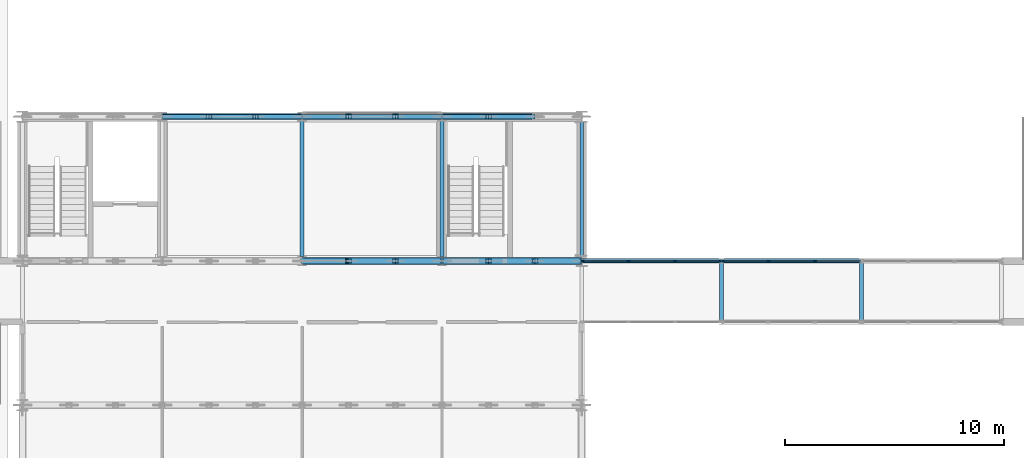
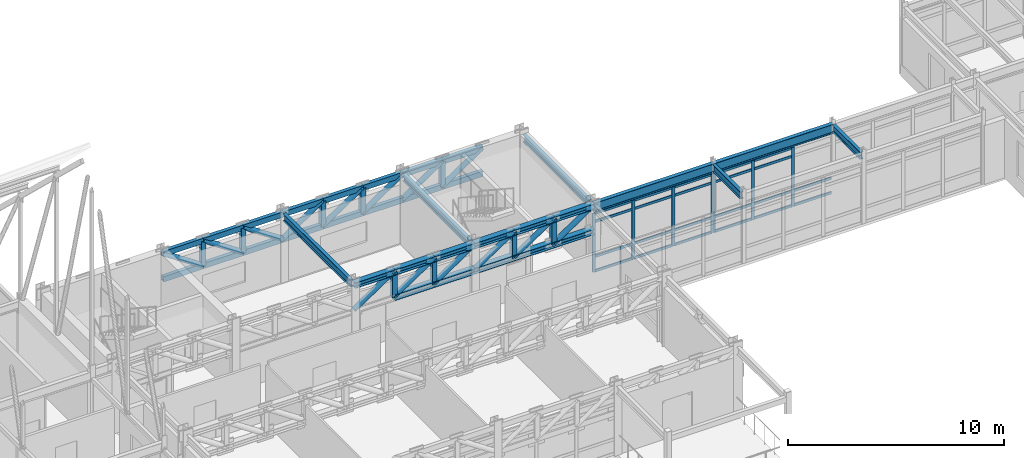
# One storey, part 66 of 144: 79 members, 7 beams, 2 elements without a shape of their own.
"""IFC4 building model written with IfcOpenShell, lengths in metres."""

from ifc_helpers import new_model, si_unit, direction, frame, origin, origin_2d, place, context, subcontext, project, spatial, rectangle, hollow_rectangle, hollow_circle, i_section, extrude, material, layer, layer_set, material_profile, profile_set, type_object, element, aggregate, save


model = new_model("IFC4")

# Units and contexts
model_context = context("Model", 3, precision=1e-05, world=origin(), true_north=direction((0.0, 1.0)))
body_context = subcontext(model_context, "Body", "Model", "MODEL_VIEW")
ifc_project = project(units=[si_unit("LENGTHUNIT", "METRE"), si_unit("AREAUNIT", "SQUARE_METRE"), si_unit("VOLUMEUNIT", "CUBIC_METRE"), si_unit("PLANEANGLEUNIT", "RADIAN"), si_unit("MASSUNIT", "GRAM", prefix="KILO")], contexts=[model_context])

# Site, building, storey
site_placement = place(None, origin())
site = spatial("IfcSite", under=ifc_project, at=site_placement, CompositionType="ELEMENT")
building_placement = place(site_placement, origin())
building = spatial("IfcBuilding", under=site, at=building_placement, Name="Trelmorton Wharf Fire Station", CompositionType="ELEMENT")
storey_placement = place(building_placement, frame((0.0, 0.0, 5.39990234375)))
storey = spatial("IfcBuildingStorey", under=building, at=storey_placement, Name="L01", CompositionType="ELEMENT", Elevation=5.39990234375)

# Beams
ifc_material_1 = material(Name="Steel Grade 350", Category="steel")
ifc_material_profile_1 = material_profile(ifc_material_1, i_section(OverallWidth=0.177978515625, OverallDepth=0.406005859375, WebThickness=0.0078125, FlangeThickness=0.0126953125, FilletRadius=0.011474609375, at=origin_2d()), Name="410UB59.7")
ifc_profile_set_1 = profile_set([ifc_material_profile_1], Name="Steel Grade 350")
beam_type_1 = type_object("IfcBeamType", Name="BM_410UB60", PredefinedType="BEAM", material=ifc_profile_set_1)
for number, where, z_axis, x_axis, name in (
    (1, (70.800048828125, 21.196044921875, 3.72705078125), (0.0, 1.0, 0.0), (-1.0, 0.0, 0.0), "BM-L01-0590"),
    (2, (77.199951171875, 21.196044921875, 3.72705078125), (0.0, 1.0, 0.0), (-1.0, 0.0, 0.0), "BM-L01-0596"),
):
    element("IfcBeam", number, at=place(storey_placement, frame(where, z_axis=z_axis, x_axis=x_axis)), inside=storey, type_object=beam_type_1, Name=name, PredefinedType="BEAM", context=body_context, shape_type="SweptSolid", body=[
        extrude(i_section(OverallWidth=0.177978515625, OverallDepth=0.406005859375, WebThickness=0.0078125, FlangeThickness=0.0126953125, FilletRadius=0.011474609375, at=origin_2d()), origin(), (0.0, 0.0, 1.0), 6.2080078125),
    ])
beam_1_placement = place(storey_placement, frame((83.60009765625, 21.24609375, 3.72705078125), z_axis=(0.0, 1.0, 0.0), x_axis=(-1.0, 0.0, 0.0)))
element("IfcBeam", 3, at=beam_1_placement, inside=storey, type_object=beam_type_1, Name="BM-L01-0604", PredefinedType="BEAM", context=body_context, shape_type="SweptSolid", body=[
    extrude(i_section(OverallWidth=0.177978515625, OverallDepth=0.406005859375, WebThickness=0.0078125, FlangeThickness=0.0126953125, FilletRadius=0.011474609375, at=origin_2d()), origin(), (0.0, 0.0, 1.0), 6.10791015625),
])
for number, where, z_axis, x_axis, name in (
    (4, (90.0, 18.301025390625, 3.72705078125), (0.0, 1.0, 0.0), (-1.0, 0.0, 0.0), "BM-L01-0609"),
    (5, (96.39990234375, 18.301025390625, 3.72705078125), (0.0, 1.0, 0.0), (-1.0, 0.0, 0.0), "BM-L01-0614"),
):
    element("IfcBeam", number, at=place(storey_placement, frame(where, z_axis=z_axis, x_axis=x_axis)), inside=storey, type_object=beam_type_1, Name=name, PredefinedType="BEAM", context=body_context, shape_type="SweptSolid", body=[
        extrude(i_section(OverallWidth=0.177978515625, OverallDepth=0.406005859375, WebThickness=0.0078125, FlangeThickness=0.0126953125, FilletRadius=0.011474609375, at=origin_2d()), origin(), (0.0, 0.0, 1.0), 2.597900390625),
    ])
ifc_material_profile_2 = material_profile(ifc_material_1, i_section(OverallWidth=0.208984375, OverallDepth=0.528076171875, WebThickness=0.009521484375, FlangeThickness=0.01318359375, FilletRadius=0.013916015625, at=origin_2d()), Name="530UB82.0")
ifc_profile_set_2 = profile_set([ifc_material_profile_2], Name="Steel Grade 350")
beam_type_2 = type_object("IfcBeamType", Name="BM_530UB82", PredefinedType="BEAM", material=ifc_profile_set_2)
beam_2_placement = place(storey_placement, frame((83.60791015625, 21.0, 3.666015625), z_axis=(1.0, 0.0, 0.0), x_axis=(0.0, 1.0, 0.0)))
element("IfcBeam", 6, at=beam_2_placement, inside=storey, type_object=beam_type_2, Name="BM-L01-0439", PredefinedType="BEAM", context=body_context, shape_type="SweptSolid", body=[
    extrude(i_section(OverallWidth=0.208984375, OverallDepth=0.528076171875, WebThickness=0.009521484375, FlangeThickness=0.01318359375, FilletRadius=0.013916015625, at=origin_2d()), origin(), (0.0, 0.0, 1.0), 6.38818359375),
])
beam_3_placement = place(storey_placement, frame((90.00390625, 21.0, 3.666015625), z_axis=(1.0, 0.0, 0.0), x_axis=(0.0, 1.0, 0.0)))
element("IfcBeam", 7, at=beam_3_placement, inside=storey, type_object=beam_type_2, Name="BM-L01-0440", PredefinedType="BEAM", context=body_context, shape_type="SweptSolid", body=[
    extrude(i_section(OverallWidth=0.208984375, OverallDepth=0.528076171875, WebThickness=0.009521484375, FlangeThickness=0.01318359375, FilletRadius=0.013916015625, at=origin_2d()), origin(), (0.0, 0.0, 1.0), 6.39208984375),
])

# Curtain wall, members
ifc_material_2 = material(Name="Anodised aluminium AW-6063", Category="aluminium")
ifc_layer = layer(ifc_material_2, 0.139892578125)
ifc_layer_set = layer_set([ifc_layer], Name="Anodised aluminium AW-6063")
curtain_wall_type = type_object("IfcCurtainWallType", Name="CW_BRDG_A", PredefinedType="USERDEFINED", material=ifc_layer_set)
curtain_wall_1_placement = place(storey_placement, origin())
curtain_wall_1 = element("IfcCurtainWall", 8, at=curtain_wall_1_placement, inside=storey, type_object=curtain_wall_type, Name="CW-BR-L01-155", ObjectType="UNITISED CURTAIN WALL", PredefinedType="USERDEFINED")
ifc_material_profile_3 = material_profile(ifc_material_2, rectangle(XDim=0.06494140625, YDim=0.159912109375, at=origin_2d()), Name="ALU-65x160")
ifc_profile_set_3 = profile_set([ifc_material_profile_3], Name="Anodised aluminium AW-6063")
member_type_1 = type_object("IfcMemberType", Name="CWM_65x160", PredefinedType="MULLION", material=ifc_profile_set_3)
member_1_placement = place(storey_placement, frame((83.635009765625, 21.0, 0.0), z_axis=(0.0, 0.0, 1.0), x_axis=(0.0, 1.0, 0.0)))
member_1 = element("IfcMember", 9, at=member_1_placement, type_object=member_type_1, Name="CW4 mullion 1", PredefinedType="MULLION", context=body_context, shape_type="SweptSolid", body=[
    extrude(rectangle(XDim=0.06494140625, YDim=0.159912109375, at=origin_2d()), origin(), (0.0, 0.0, 1.0), 3.320068359375),
])
member_2_placement = place(storey_placement, frame((85.735107421875, 21.0, 0.0), z_axis=(0.0, 0.0, 1.0), x_axis=(0.0, 1.0, 0.0)))
member_2 = element("IfcMember", 10, at=member_2_placement, type_object=member_type_1, Name="CW4 mullion 2", PredefinedType="MULLION", context=body_context, shape_type="SweptSolid", body=[
    extrude(rectangle(XDim=0.06494140625, YDim=0.159912109375, at=origin_2d()), origin(), (0.0, 0.0, 1.0), 3.320068359375),
])
member_3_placement = place(storey_placement, frame((87.864990234375, 21.0, 0.0), z_axis=(0.0, 0.0, 1.0), x_axis=(0.0, 1.0, 0.0)))
member_3 = element("IfcMember", 11, at=member_3_placement, type_object=member_type_1, Name="CW4 mullion 3", PredefinedType="MULLION", context=body_context, shape_type="SweptSolid", body=[
    extrude(rectangle(XDim=0.06494140625, YDim=0.159912109375, at=origin_2d()), origin(), (0.0, 0.0, 1.0), 3.320068359375),
])
member_4_placement = place(storey_placement, frame((89.965087890625, 21.0, 0.0), z_axis=(0.0, 0.0, 1.0), x_axis=(0.0, 1.0, 0.0)))
member_4 = element("IfcMember", 12, at=member_4_placement, type_object=member_type_1, Name="CW4 mullion 4", PredefinedType="MULLION", context=body_context, shape_type="SweptSolid", body=[
    extrude(rectangle(XDim=0.06494140625, YDim=0.159912109375, at=origin_2d()), origin(), (0.0, 0.0, 1.0), 3.320068359375),
])

curtain_wall_2_placement = place(storey_placement, origin())
curtain_wall_2 = element("IfcCurtainWall", 13, at=curtain_wall_2_placement, inside=storey, type_object=curtain_wall_type, Name="CW-BR-L01-157", ObjectType="UNITISED CURTAIN WALL", PredefinedType="USERDEFINED")
member_5_placement = place(storey_placement, frame((90.034912109375, 21.0, 0.0), z_axis=(0.0, 0.0, 1.0), x_axis=(0.0, 1.0, 0.0)))
member_5 = element("IfcMember", 14, at=member_5_placement, type_object=member_type_1, Name="CW4 mullion 1", PredefinedType="MULLION", context=body_context, shape_type="SweptSolid", body=[
    extrude(rectangle(XDim=0.06494140625, YDim=0.159912109375, at=origin_2d()), origin(), (0.0, 0.0, 1.0), 3.320068359375),
])
member_6_placement = place(storey_placement, frame((92.135009765625, 21.0, 0.0), z_axis=(0.0, 0.0, 1.0), x_axis=(0.0, 1.0, 0.0)))
member_6 = element("IfcMember", 15, at=member_6_placement, type_object=member_type_1, Name="CW4 mullion 2", PredefinedType="MULLION", context=body_context, shape_type="SweptSolid", body=[
    extrude(rectangle(XDim=0.06494140625, YDim=0.159912109375, at=origin_2d()), origin(), (0.0, 0.0, 1.0), 3.320068359375),
])
member_7_placement = place(storey_placement, frame((94.264892578125, 21.0, 0.0), z_axis=(0.0, 0.0, 1.0), x_axis=(0.0, 1.0, 0.0)))
member_7 = element("IfcMember", 16, at=member_7_placement, type_object=member_type_1, Name="CW4 mullion 3", PredefinedType="MULLION", context=body_context, shape_type="SweptSolid", body=[
    extrude(rectangle(XDim=0.06494140625, YDim=0.159912109375, at=origin_2d()), origin(), (0.0, 0.0, 1.0), 3.320068359375),
])

# Member
ifc_material_profile_4 = material_profile(ifc_material_2, rectangle(XDim=0.06494140625, YDim=0.139892578125, at=origin_2d()), Name="ALU-65x140")
ifc_profile_set_4 = profile_set([ifc_material_profile_4], Name="Anodised aluminium AW-6063")
member_type_2 = type_object("IfcMemberType", Name="CWT_65x140", PredefinedType="USERDEFINED", material=ifc_profile_set_4)
member_8_placement = place(storey_placement, frame((83.6650390625, 21.0, 0.030029296875), z_axis=(1.0, 0.0, 0.0), x_axis=(0.0, 1.0, 0.0)))
member_8 = element("IfcMember", 17, at=member_8_placement, type_object=member_type_2, Name="CW4 transom 1.1", ObjectType="TRANSOM", PredefinedType="USERDEFINED", context=body_context, shape_type="SweptSolid", body=[
    extrude(rectangle(XDim=0.06494140625, YDim=0.139892578125, at=origin_2d()), origin(), (0.0, 0.0, 1.0), 2.0400390625),
])

member_9_placement = place(storey_placement, frame((83.6650390625, 21.0, 0.85009765625), z_axis=(1.0, 0.0, 0.0), x_axis=(0.0, 1.0, 0.0)))
member_9 = element("IfcMember", 18, at=member_9_placement, type_object=member_type_2, Name="CW4 transom 1.2", ObjectType="TRANSOM", PredefinedType="USERDEFINED", context=body_context, shape_type="SweptSolid", body=[
    extrude(rectangle(XDim=0.06494140625, YDim=0.139892578125, at=origin_2d()), origin(), (0.0, 0.0, 1.0), 2.0400390625),
])

member_10_placement = place(storey_placement, frame((83.6650390625, 21.0, 2.820068359375), z_axis=(1.0, 0.0, 0.0), x_axis=(0.0, 1.0, 0.0)))
member_10 = element("IfcMember", 19, at=member_10_placement, type_object=member_type_2, Name="CW4 transom 1.3", ObjectType="TRANSOM", PredefinedType="USERDEFINED", context=body_context, shape_type="SweptSolid", body=[
    extrude(rectangle(XDim=0.06494140625, YDim=0.139892578125, at=origin_2d()), origin(), (0.0, 0.0, 1.0), 2.0400390625),
])

member_11_placement = place(storey_placement, frame((83.6650390625, 21.0, 3.2900390625), z_axis=(1.0, 0.0, 0.0), x_axis=(0.0, 1.0, 0.0)))
member_11 = element("IfcMember", 20, at=member_11_placement, type_object=member_type_2, Name="CW4 transom 1.4", ObjectType="TRANSOM", PredefinedType="USERDEFINED", context=body_context, shape_type="SweptSolid", body=[
    extrude(rectangle(XDim=0.06494140625, YDim=0.139892578125, at=origin_2d()), origin(), (0.0, 0.0, 1.0), 2.0400390625),
])

member_12_placement = place(storey_placement, frame((85.764892578125, 21.0, 0.030029296875), z_axis=(1.0, 0.0, 0.0), x_axis=(0.0, 1.0, 0.0)))
member_12 = element("IfcMember", 21, at=member_12_placement, type_object=member_type_2, Name="CW4 transom 2.1", ObjectType="TRANSOM", PredefinedType="USERDEFINED", context=body_context, shape_type="SweptSolid", body=[
    extrude(rectangle(XDim=0.06494140625, YDim=0.139892578125, at=origin_2d()), origin(), (0.0, 0.0, 1.0), 2.070068359375),
])

member_13_placement = place(storey_placement, frame((85.764892578125, 21.0, 0.85009765625), z_axis=(1.0, 0.0, 0.0), x_axis=(0.0, 1.0, 0.0)))
member_13 = element("IfcMember", 22, at=member_13_placement, type_object=member_type_2, Name="CW4 transom 2.2", ObjectType="TRANSOM", PredefinedType="USERDEFINED", context=body_context, shape_type="SweptSolid", body=[
    extrude(rectangle(XDim=0.06494140625, YDim=0.139892578125, at=origin_2d()), origin(), (0.0, 0.0, 1.0), 2.070068359375),
])

member_14_placement = place(storey_placement, frame((85.764892578125, 21.0, 2.820068359375), z_axis=(1.0, 0.0, 0.0), x_axis=(0.0, 1.0, 0.0)))
member_14 = element("IfcMember", 23, at=member_14_placement, type_object=member_type_2, Name="CW4 transom 2.3", ObjectType="TRANSOM", PredefinedType="USERDEFINED", context=body_context, shape_type="SweptSolid", body=[
    extrude(rectangle(XDim=0.06494140625, YDim=0.139892578125, at=origin_2d()), origin(), (0.0, 0.0, 1.0), 2.070068359375),
])

member_15_placement = place(storey_placement, frame((85.764892578125, 21.0, 3.2900390625), z_axis=(1.0, 0.0, 0.0), x_axis=(0.0, 1.0, 0.0)))
member_15 = element("IfcMember", 24, at=member_15_placement, type_object=member_type_2, Name="CW4 transom 2.4", ObjectType="TRANSOM", PredefinedType="USERDEFINED", context=body_context, shape_type="SweptSolid", body=[
    extrude(rectangle(XDim=0.06494140625, YDim=0.139892578125, at=origin_2d()), origin(), (0.0, 0.0, 1.0), 2.070068359375),
])

member_16_placement = place(storey_placement, frame((87.89501953125, 21.0, 0.030029296875), z_axis=(1.0, 0.0, 0.0), x_axis=(0.0, 1.0, 0.0)))
member_16 = element("IfcMember", 25, at=member_16_placement, type_object=member_type_2, Name="CW4 transom 3.1", ObjectType="TRANSOM", PredefinedType="USERDEFINED", context=body_context, shape_type="SweptSolid", body=[
    extrude(rectangle(XDim=0.06494140625, YDim=0.139892578125, at=origin_2d()), origin(), (0.0, 0.0, 1.0), 2.0400390625),
])

member_17_placement = place(storey_placement, frame((87.89501953125, 21.0, 0.85009765625), z_axis=(1.0, 0.0, 0.0), x_axis=(0.0, 1.0, 0.0)))
member_17 = element("IfcMember", 26, at=member_17_placement, type_object=member_type_2, Name="CW4 transom 3.2", ObjectType="TRANSOM", PredefinedType="USERDEFINED", context=body_context, shape_type="SweptSolid", body=[
    extrude(rectangle(XDim=0.06494140625, YDim=0.139892578125, at=origin_2d()), origin(), (0.0, 0.0, 1.0), 2.0400390625),
])

member_18_placement = place(storey_placement, frame((87.89501953125, 21.0, 2.820068359375), z_axis=(1.0, 0.0, 0.0), x_axis=(0.0, 1.0, 0.0)))
member_18 = element("IfcMember", 27, at=member_18_placement, type_object=member_type_2, Name="CW4 transom 3.3", ObjectType="TRANSOM", PredefinedType="USERDEFINED", context=body_context, shape_type="SweptSolid", body=[
    extrude(rectangle(XDim=0.06494140625, YDim=0.139892578125, at=origin_2d()), origin(), (0.0, 0.0, 1.0), 2.0400390625),
])

member_19_placement = place(storey_placement, frame((87.89501953125, 21.0, 3.2900390625), z_axis=(1.0, 0.0, 0.0), x_axis=(0.0, 1.0, 0.0)))
member_19 = element("IfcMember", 28, at=member_19_placement, type_object=member_type_2, Name="CW4 transom 3.4", ObjectType="TRANSOM", PredefinedType="USERDEFINED", context=body_context, shape_type="SweptSolid", body=[
    extrude(rectangle(XDim=0.06494140625, YDim=0.139892578125, at=origin_2d()), origin(), (0.0, 0.0, 1.0), 2.0400390625),
])

aggregate(curtain_wall_1, [member_1, member_2, member_3, member_4, member_8, member_9, member_10, member_11, member_12, member_13, member_14, member_15, member_16, member_17, member_18, member_19])

member_20_placement = place(storey_placement, frame((90.06494140625, 21.0, 0.030029296875), z_axis=(1.0, 0.0, 0.0), x_axis=(0.0, 1.0, 0.0)))
member_20 = element("IfcMember", 29, at=member_20_placement, type_object=member_type_2, Name="CW4 transom 1.1", ObjectType="TRANSOM", PredefinedType="USERDEFINED", context=body_context, shape_type="SweptSolid", body=[
    extrude(rectangle(XDim=0.06494140625, YDim=0.139892578125, at=origin_2d()), origin(), (0.0, 0.0, 1.0), 2.0400390625),
])

member_21_placement = place(storey_placement, frame((90.06494140625, 21.0, 0.85009765625), z_axis=(1.0, 0.0, 0.0), x_axis=(0.0, 1.0, 0.0)))
member_21 = element("IfcMember", 30, at=member_21_placement, type_object=member_type_2, Name="CW4 transom 1.2", ObjectType="TRANSOM", PredefinedType="USERDEFINED", context=body_context, shape_type="SweptSolid", body=[
    extrude(rectangle(XDim=0.06494140625, YDim=0.139892578125, at=origin_2d()), origin(), (0.0, 0.0, 1.0), 2.0400390625),
])

member_22_placement = place(storey_placement, frame((90.06494140625, 21.0, 2.820068359375), z_axis=(1.0, 0.0, 0.0), x_axis=(0.0, 1.0, 0.0)))
member_22 = element("IfcMember", 31, at=member_22_placement, type_object=member_type_2, Name="CW4 transom 1.3", ObjectType="TRANSOM", PredefinedType="USERDEFINED", context=body_context, shape_type="SweptSolid", body=[
    extrude(rectangle(XDim=0.06494140625, YDim=0.139892578125, at=origin_2d()), origin(), (0.0, 0.0, 1.0), 2.0400390625),
])

member_23_placement = place(storey_placement, frame((90.06494140625, 21.0, 3.2900390625), z_axis=(1.0, 0.0, 0.0), x_axis=(0.0, 1.0, 0.0)))
member_23 = element("IfcMember", 32, at=member_23_placement, type_object=member_type_2, Name="CW4 transom 1.4", ObjectType="TRANSOM", PredefinedType="USERDEFINED", context=body_context, shape_type="SweptSolid", body=[
    extrude(rectangle(XDim=0.06494140625, YDim=0.139892578125, at=origin_2d()), origin(), (0.0, 0.0, 1.0), 2.0400390625),
])

member_24_placement = place(storey_placement, frame((92.1650390625, 21.0, 0.030029296875), z_axis=(1.0, 0.0, 0.0), x_axis=(0.0, 1.0, 0.0)))
member_24 = element("IfcMember", 33, at=member_24_placement, type_object=member_type_2, Name="CW4 transom 2.1", ObjectType="TRANSOM", PredefinedType="USERDEFINED", context=body_context, shape_type="SweptSolid", body=[
    extrude(rectangle(XDim=0.06494140625, YDim=0.139892578125, at=origin_2d()), origin(), (0.0, 0.0, 1.0), 2.070068359375),
])

member_25_placement = place(storey_placement, frame((92.1650390625, 21.0, 0.85009765625), z_axis=(1.0, 0.0, 0.0), x_axis=(0.0, 1.0, 0.0)))
member_25 = element("IfcMember", 34, at=member_25_placement, type_object=member_type_2, Name="CW4 transom 2.2", ObjectType="TRANSOM", PredefinedType="USERDEFINED", context=body_context, shape_type="SweptSolid", body=[
    extrude(rectangle(XDim=0.06494140625, YDim=0.139892578125, at=origin_2d()), origin(), (0.0, 0.0, 1.0), 2.070068359375),
])

member_26_placement = place(storey_placement, frame((92.1650390625, 21.0, 2.820068359375), z_axis=(1.0, 0.0, 0.0), x_axis=(0.0, 1.0, 0.0)))
member_26 = element("IfcMember", 35, at=member_26_placement, type_object=member_type_2, Name="CW4 transom 2.3", ObjectType="TRANSOM", PredefinedType="USERDEFINED", context=body_context, shape_type="SweptSolid", body=[
    extrude(rectangle(XDim=0.06494140625, YDim=0.139892578125, at=origin_2d()), origin(), (0.0, 0.0, 1.0), 2.070068359375),
])

member_27_placement = place(storey_placement, frame((92.1650390625, 21.0, 3.2900390625), z_axis=(1.0, 0.0, 0.0), x_axis=(0.0, 1.0, 0.0)))
member_27 = element("IfcMember", 36, at=member_27_placement, type_object=member_type_2, Name="CW4 transom 2.4", ObjectType="TRANSOM", PredefinedType="USERDEFINED", context=body_context, shape_type="SweptSolid", body=[
    extrude(rectangle(XDim=0.06494140625, YDim=0.139892578125, at=origin_2d()), origin(), (0.0, 0.0, 1.0), 2.070068359375),
])

member_28_placement = place(storey_placement, frame((94.294921875, 21.0, 0.030029296875), z_axis=(1.0, 0.0, 0.0), x_axis=(0.0, 1.0, 0.0)))
member_28 = element("IfcMember", 37, at=member_28_placement, type_object=member_type_2, Name="CW4 transom 3.1", ObjectType="TRANSOM", PredefinedType="USERDEFINED", context=body_context, shape_type="SweptSolid", body=[
    extrude(rectangle(XDim=0.06494140625, YDim=0.139892578125, at=origin_2d()), origin(), (0.0, 0.0, 1.0), 2.0400390625),
])

member_29_placement = place(storey_placement, frame((94.294921875, 21.0, 0.85009765625), z_axis=(1.0, 0.0, 0.0), x_axis=(0.0, 1.0, 0.0)))
member_29 = element("IfcMember", 38, at=member_29_placement, type_object=member_type_2, Name="CW4 transom 3.2", ObjectType="TRANSOM", PredefinedType="USERDEFINED", context=body_context, shape_type="SweptSolid", body=[
    extrude(rectangle(XDim=0.06494140625, YDim=0.139892578125, at=origin_2d()), origin(), (0.0, 0.0, 1.0), 2.0400390625),
])

aggregate(curtain_wall_2, [member_5, member_6, member_7, member_20, member_21, member_22, member_23, member_24, member_25, member_26, member_27, member_28, member_29])

# Members
ifc_material_3 = material(Name="Steel C450L0 (450 MPa)", Category="steel")
ifc_material_profile_5 = material_profile(ifc_material_3, hollow_rectangle(XDim=0.199951171875, YDim=0.300048828125, WallThickness=0.012451171875, at=origin_2d()), Name="300x200x12.5RHS")
ifc_profile_set_5 = profile_set([ifc_material_profile_5], Name="Steel C450L0 (450 MPa)")
member_type_3 = type_object("IfcMemberType", Name="TR_CHORD_300RHS", PredefinedType="CHORD", material=ifc_profile_set_5)
for number, where, z_axis, x_axis, name in (
    (39, (64.39990234375, 27.60009765625, 2.35009765625), (1.0, 0.0, 0.0), (0.0, 1.0, 0.0), "Transfer Truss TT4 Bottom Chord 4"),
    (40, (64.39990234375, 27.60009765625, 3.780029296875), (1.0, 0.0, 0.0), (0.0, 1.0, 0.0), "Transfer Truss TT4 Top Chord 4"),
):
    element("IfcMember", number, at=place(storey_placement, frame(where, z_axis=z_axis, x_axis=x_axis)), inside=storey, type_object=member_type_3, Name=name, PredefinedType="CHORD", context=body_context, shape_type="SweptSolid", body=[
        extrude(hollow_rectangle(XDim=0.199951171875, YDim=0.300048828125, WallThickness=0.012451171875, at=origin_2d()), origin(), (0.0, 0.0, 1.0), 2.13330078125),
    ])
for number, where, z_axis, x_axis, name in (
    (41, (66.533203125, 27.60009765625, 2.35009765625), (1.0, 0.0, 0.0), (0.0, 1.0, 0.0), "Transfer Truss TT4 Bottom Chord 5"),
    (42, (66.533203125, 27.60009765625, 3.780029296875), (1.0, 0.0, 0.0), (0.0, 1.0, 0.0), "Transfer Truss TT4 Top Chord 5"),
):
    element("IfcMember", number, at=place(storey_placement, frame(where, z_axis=z_axis, x_axis=x_axis)), inside=storey, type_object=member_type_3, Name=name, PredefinedType="CHORD", context=body_context, shape_type="SweptSolid", body=[
        extrude(hollow_rectangle(XDim=0.199951171875, YDim=0.300048828125, WallThickness=0.012451171875, at=origin_2d()), origin(), (0.0, 0.0, 1.0), 2.133544921875),
    ])
for number, where, z_axis, x_axis, name in (
    (43, (68.666748046875, 27.60009765625, 2.35009765625), (1.0, 0.0, 0.0), (0.0, 1.0, 0.0), "Transfer Truss TT4 Bottom Chord 6"),
    (44, (68.666748046875, 27.60009765625, 3.780029296875), (1.0, 0.0, 0.0), (0.0, 1.0, 0.0), "Transfer Truss TT4 Top Chord 6"),
    (45, (70.800048828125, 27.60009765625, 2.35009765625), (1.0, 0.0, 0.0), (0.0, 1.0, 0.0), "Transfer Truss TT4 Bottom Chord 7"),
    (46, (70.800048828125, 27.60009765625, 3.780029296875), (1.0, 0.0, 0.0), (0.0, 1.0, 0.0), "Transfer Truss TT4 Top Chord 7"),
    (47, (72.933349609375, 27.60009765625, 2.35009765625), (1.0, 0.0, 0.0), (0.0, 1.0, 0.0), "Transfer Truss TT4 Bottom Chord 8"),
    (48, (72.933349609375, 27.60009765625, 3.780029296875), (1.0, 0.0, 0.0), (0.0, 1.0, 0.0), "Transfer Truss TT4 Top Chord 8"),
    (49, (75.066650390625, 27.60009765625, 2.35009765625), (1.0, 0.0, 0.0), (0.0, 1.0, 0.0), "Transfer Truss TT4 Bottom Chord 9"),
    (50, (75.066650390625, 27.60009765625, 3.780029296875), (1.0, 0.0, 0.0), (0.0, 1.0, 0.0), "Transfer Truss TT4 Top Chord 9"),
    (51, (77.199951171875, 27.60009765625, 2.35009765625), (1.0, 0.0, 0.0), (0.0, 1.0, 0.0), "Transfer Truss TT4 Bottom Chord 10"),
    (52, (77.199951171875, 27.60009765625, 3.780029296875), (1.0, 0.0, 0.0), (0.0, 1.0, 0.0), "Transfer Truss TT4 Top Chord 10"),
):
    element("IfcMember", number, at=place(storey_placement, frame(where, z_axis=z_axis, x_axis=x_axis)), inside=storey, type_object=member_type_3, Name=name, PredefinedType="CHORD", context=body_context, shape_type="SweptSolid", body=[
        extrude(hollow_rectangle(XDim=0.199951171875, YDim=0.300048828125, WallThickness=0.012451171875, at=origin_2d()), origin(), (0.0, 0.0, 1.0), 2.13330078125),
    ])
for number, where, z_axis, x_axis, name in (
    (53, (79.333251953125, 27.60009765625, 2.35009765625), (1.0, 0.0, 0.0), (0.0, 1.0, 0.0), "Transfer Truss TT4 Bottom Chord 11"),
    (54, (79.333251953125, 27.60009765625, 3.780029296875), (1.0, 0.0, 0.0), (0.0, 1.0, 0.0), "Transfer Truss TT4 Top Chord 11"),
):
    element("IfcMember", number, at=place(storey_placement, frame(where, z_axis=z_axis, x_axis=x_axis)), inside=storey, type_object=member_type_3, Name=name, PredefinedType="CHORD", context=body_context, shape_type="SweptSolid", body=[
        extrude(hollow_rectangle(XDim=0.199951171875, YDim=0.300048828125, WallThickness=0.012451171875, at=origin_2d()), origin(), (0.0, 0.0, 1.0), 2.133544921875),
    ])
ifc_material_profile_6 = material_profile(ifc_material_1, i_section(OverallWidth=0.306884765625, OverallDepth=0.31494140625, WebThickness=0.011962890625, FlangeThickness=0.018798828125, FilletRadius=0.0166015625, at=origin_2d()), Name="310UC118")
ifc_profile_set_6 = profile_set([ifc_material_profile_6], Name="Steel Grade 350")
member_type_4 = type_object("IfcMemberType", Name="TR_CHORD_310UC", PredefinedType="CHORD", material=ifc_profile_set_6)
for number, where, z_axis, x_axis, name in (
    (55, (70.800048828125, 21.0, 3.780029296875), (1.0, 0.0, 0.0), (0.0, 1.0, 0.0), "Transfer Truss TT3 Top Chord 7"),
    (56, (72.933349609375, 21.0, 2.35009765625), (1.0, 0.0, 0.0), (0.0, 1.0, 0.0), "Transfer Truss TT3 Bottom Chord 8"),
    (57, (72.933349609375, 21.0, 3.780029296875), (1.0, 0.0, 0.0), (0.0, 1.0, 0.0), "Transfer Truss TT3 Top Chord 8"),
    (58, (75.066650390625, 21.0, 2.35009765625), (1.0, 0.0, 0.0), (0.0, 1.0, 0.0), "Transfer Truss TT3 Bottom Chord 9"),
    (59, (75.066650390625, 21.0, 3.780029296875), (1.0, 0.0, 0.0), (0.0, 1.0, 0.0), "Transfer Truss TT3 Top Chord 9"),
    (60, (77.199951171875, 21.0, 2.35009765625), (1.0, 0.0, 0.0), (0.0, 1.0, 0.0), "Transfer Truss TT3 Bottom Chord 10"),
    (61, (77.199951171875, 21.0, 3.780029296875), (1.0, 0.0, 0.0), (0.0, 1.0, 0.0), "Transfer Truss TT3 Top Chord 10"),
):
    element("IfcMember", number, at=place(storey_placement, frame(where, z_axis=z_axis, x_axis=x_axis)), inside=storey, type_object=member_type_4, Name=name, PredefinedType="CHORD", context=body_context, shape_type="SweptSolid", body=[
        extrude(i_section(OverallWidth=0.306884765625, OverallDepth=0.31494140625, WebThickness=0.011962890625, FlangeThickness=0.018798828125, FilletRadius=0.0166015625, at=origin_2d()), origin(), (0.0, 0.0, 1.0), 2.13330078125),
    ])
for number, where, z_axis, x_axis, name in (
    (62, (79.333251953125, 21.0, 2.35009765625), (1.0, 0.0, 0.0), (0.0, 1.0, 0.0), "Transfer Truss TT3 Bottom Chord 11"),
    (63, (79.333251953125, 21.0, 3.780029296875), (1.0, 0.0, 0.0), (0.0, 1.0, 0.0), "Transfer Truss TT3 Top Chord 11"),
):
    element("IfcMember", number, at=place(storey_placement, frame(where, z_axis=z_axis, x_axis=x_axis)), inside=storey, type_object=member_type_4, Name=name, PredefinedType="CHORD", context=body_context, shape_type="SweptSolid", body=[
        extrude(i_section(OverallWidth=0.306884765625, OverallDepth=0.31494140625, WebThickness=0.011962890625, FlangeThickness=0.018798828125, FilletRadius=0.0166015625, at=origin_2d()), origin(), (0.0, 0.0, 1.0), 2.133544921875),
    ])
for number, where, z_axis, x_axis, name in (
    (64, (81.466796875, 21.0, 2.35009765625), (1.0, 0.0, 0.0), (0.0, 1.0, 0.0), "Transfer Truss TT3 Bottom Chord 12"),
    (65, (81.466796875, 21.0, 3.780029296875), (1.0, 0.0, 0.0), (0.0, 1.0, 0.0), "Transfer Truss TT3 Top Chord 12"),
):
    element("IfcMember", number, at=place(storey_placement, frame(where, z_axis=z_axis, x_axis=x_axis)), inside=storey, type_object=member_type_4, Name=name, PredefinedType="CHORD", context=body_context, shape_type="SweptSolid", body=[
        extrude(i_section(OverallWidth=0.306884765625, OverallDepth=0.31494140625, WebThickness=0.011962890625, FlangeThickness=0.018798828125, FilletRadius=0.0166015625, at=origin_2d()), origin(), (0.0, 0.0, 1.0), 2.125244140625),
    ])
ifc_material_4 = material(Name="Steel C350L0 (350 MPa)", Category="steel")
ifc_material_profile_7 = material_profile(ifc_material_4, hollow_circle(Radius=0.136474609375, WallThickness=0.00927734375, at=origin_2d()), Name="273.1x9.3CHS")
ifc_profile_set_7 = profile_set([ifc_material_profile_7], Name="Steel C350L0 (350 MPa)")
member_type_5 = type_object("IfcMemberType", Name="TR_DIAG_273CHS", PredefinedType="STRUT", material=ifc_profile_set_7)
for number, where, z_axis, x_axis, name in (
    (66, (70.800048828125, 21.0, 2.35009765625), (0.830658305664, 0.0, 0.556782524179), (0.0, 1.0, 0.0), "TT3-DG-7"),
    (67, (72.933349609375, 21.0, 2.35009765625), (0.830658305664, 0.0, 0.556782524179), (0.0, 1.0, 0.0), "TT3-DG-8"),
    (68, (75.066650390625, 21.0, 2.35009765625), (0.830658305664, 0.0, 0.556782524179), (0.0, 1.0, 0.0), "TT3-DG-9"),
    (69, (77.199951171875, 21.0, 2.35009765625), (0.830658305664, 0.0, 0.556782524179), (0.0, 1.0, 0.0), "TT3-DG-10"),
):
    element("IfcMember", number, at=place(storey_placement, frame(where, z_axis=z_axis, x_axis=x_axis)), inside=storey, type_object=member_type_5, Name=name, PredefinedType="STRUT", context=body_context, shape_type="SweptSolid", body=[
        extrude(hollow_circle(Radius=0.136474609375, WallThickness=0.00927734375, at=origin_2d()), origin(), (0.0, 0.0, 1.0), 2.568115234375),
    ])
member_30_placement = place(storey_placement, frame((79.333251953125, 21.0, 2.35009765625), z_axis=(0.830687772271, 0.0, 0.556738560727), x_axis=(0.0, 1.0, 0.0)))
element("IfcMember", 70, at=member_30_placement, inside=storey, type_object=member_type_5, Name="TT3-DG-11", PredefinedType="STRUT", context=body_context, shape_type="SweptSolid", body=[
    extrude(hollow_circle(Radius=0.136474609375, WallThickness=0.00927734375, at=origin_2d()), origin(), (0.0, 0.0, 1.0), 2.568359375),
])
member_31_placement = place(storey_placement, frame((81.466796875, 21.0, 2.35009765625), z_axis=(0.829681979405, 0.0, 0.558236341571), x_axis=(0.0, 1.0, 0.0)))
element("IfcMember", 71, at=member_31_placement, inside=storey, type_object=member_type_5, Name="TT3-DG-12", PredefinedType="STRUT", context=body_context, shape_type="SweptSolid", body=[
    extrude(hollow_circle(Radius=0.136474609375, WallThickness=0.00927734375, at=origin_2d()), origin(), (0.0, 0.0, 1.0), 2.5615234375),
])
member_32_placement = place(storey_placement, frame((64.39990234375, 27.60009765625, 3.780029296875), z_axis=(0.830658305664, 0.0, -0.556782524179), x_axis=(0.0, 1.0, 0.0)))
element("IfcMember", 72, at=member_32_placement, inside=storey, type_object=member_type_5, Name="TT4-DG-4", PredefinedType="STRUT", context=body_context, shape_type="SweptSolid", body=[
    extrude(hollow_circle(Radius=0.136474609375, WallThickness=0.00927734375, at=origin_2d()), origin(), (0.0, 0.0, 1.0), 2.568115234375),
])
member_33_placement = place(storey_placement, frame((66.533203125, 27.60009765625, 3.780029296875), z_axis=(0.830687772271, 0.0, -0.556738560727), x_axis=(0.0, 1.0, 0.0)))
element("IfcMember", 73, at=member_33_placement, inside=storey, type_object=member_type_5, Name="TT4-DG-5", PredefinedType="STRUT", context=body_context, shape_type="SweptSolid", body=[
    extrude(hollow_circle(Radius=0.136474609375, WallThickness=0.00927734375, at=origin_2d()), origin(), (0.0, 0.0, 1.0), 2.568359375),
])
for number, where, z_axis, x_axis, name in (
    (74, (68.666748046875, 27.60009765625, 3.780029296875), (0.830658305664, 0.0, -0.556782524179), (0.0, 1.0, 0.0), "TT4-DG-6"),
    (75, (70.800048828125, 27.60009765625, 2.35009765625), (0.830658305664, 0.0, 0.556782524179), (0.0, 1.0, 0.0), "TT4-DG-7"),
    (76, (72.933349609375, 27.60009765625, 2.35009765625), (0.830658305664, 0.0, 0.556782524179), (0.0, 1.0, 0.0), "TT4-DG-8"),
    (77, (75.066650390625, 27.60009765625, 2.35009765625), (0.830658305664, 0.0, 0.556782524179), (0.0, 1.0, 0.0), "TT4-DG-9"),
    (78, (77.199951171875, 27.60009765625, 2.35009765625), (0.830658305664, 0.0, 0.556782524179), (0.0, 1.0, 0.0), "TT4-DG-10"),
):
    element("IfcMember", number, at=place(storey_placement, frame(where, z_axis=z_axis, x_axis=x_axis)), inside=storey, type_object=member_type_5, Name=name, PredefinedType="STRUT", context=body_context, shape_type="SweptSolid", body=[
        extrude(hollow_circle(Radius=0.136474609375, WallThickness=0.00927734375, at=origin_2d()), origin(), (0.0, 0.0, 1.0), 2.568115234375),
    ])
member_34_placement = place(storey_placement, frame((79.333251953125, 27.60009765625, 2.35009765625), z_axis=(0.830687772271, 0.0, 0.556738560727), x_axis=(0.0, 1.0, 0.0)))
element("IfcMember", 79, at=member_34_placement, inside=storey, type_object=member_type_5, Name="TT4-DG-11", PredefinedType="STRUT", context=body_context, shape_type="SweptSolid", body=[
    extrude(hollow_circle(Radius=0.136474609375, WallThickness=0.00927734375, at=origin_2d()), origin(), (0.0, 0.0, 1.0), 2.568359375),
])
ifc_material_profile_8 = material_profile(ifc_material_3, hollow_rectangle(XDim=0.25, YDim=0.25, WallThickness=0.012451171875, at=origin_2d()), Name="250x250x12.5SHS")
ifc_profile_set_8 = profile_set([ifc_material_profile_8], Name="Steel C450L0 (450 MPa)")
member_type_6 = type_object("IfcMemberType", Name="TR_POST_250SHS", PredefinedType="POST", material=ifc_profile_set_8)
for number, where, z_axis, x_axis, name in (
    (80, (72.933349609375, 21.0, 2.35009765625), (0.0, 0.0, 1.0), (1.0, 0.0, 0.0), "TT3-VP-7"),
    (81, (75.066650390625, 21.0, 2.35009765625), (0.0, 0.0, 1.0), (1.0, 0.0, 0.0), "TT3-VP-8"),
    (82, (79.333251953125, 21.0, 2.35009765625), (0.0, 0.0, 1.0), (1.0, 0.0, 0.0), "TT3-VP-10"),
    (83, (81.466796875, 21.0, 2.35009765625), (0.0, 0.0, 1.0), (1.0, 0.0, 0.0), "TT3-VP-11"),
    (84, (66.533203125, 27.60009765625, 2.35009765625), (0.0, 0.0, 1.0), (1.0, 0.0, 0.0), "TT4-VP-4"),
    (85, (68.666748046875, 27.60009765625, 2.35009765625), (0.0, 0.0, 1.0), (1.0, 0.0, 0.0), "TT4-VP-5"),
    (86, (72.933349609375, 27.60009765625, 2.35009765625), (0.0, 0.0, 1.0), (1.0, 0.0, 0.0), "TT4-VP-7"),
    (87, (75.066650390625, 27.60009765625, 2.35009765625), (0.0, 0.0, 1.0), (1.0, 0.0, 0.0), "TT4-VP-8"),
    (88, (79.333251953125, 27.60009765625, 2.35009765625), (0.0, 0.0, 1.0), (1.0, 0.0, 0.0), "TT4-VP-10"),
):
    element("IfcMember", number, at=place(storey_placement, frame(where, z_axis=z_axis, x_axis=x_axis)), inside=storey, type_object=member_type_6, Name=name, PredefinedType="POST", context=body_context, shape_type="SweptSolid", body=[
        extrude(hollow_rectangle(XDim=0.25, YDim=0.25, WallThickness=0.012451171875, at=origin_2d()), origin(), (0.0, 0.0, 1.0), 1.429931640625),
    ])

save(model, "model.ifc")
